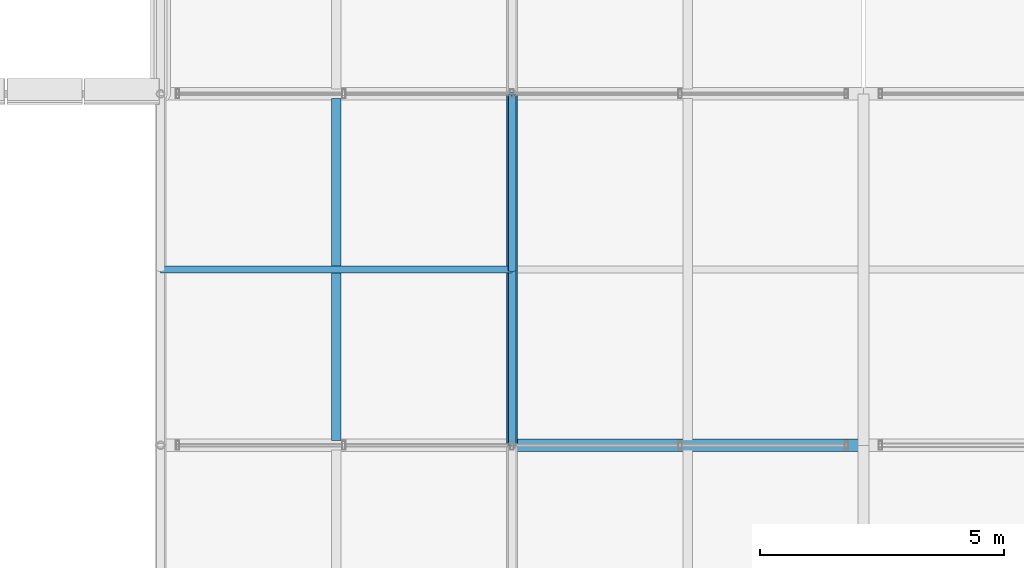
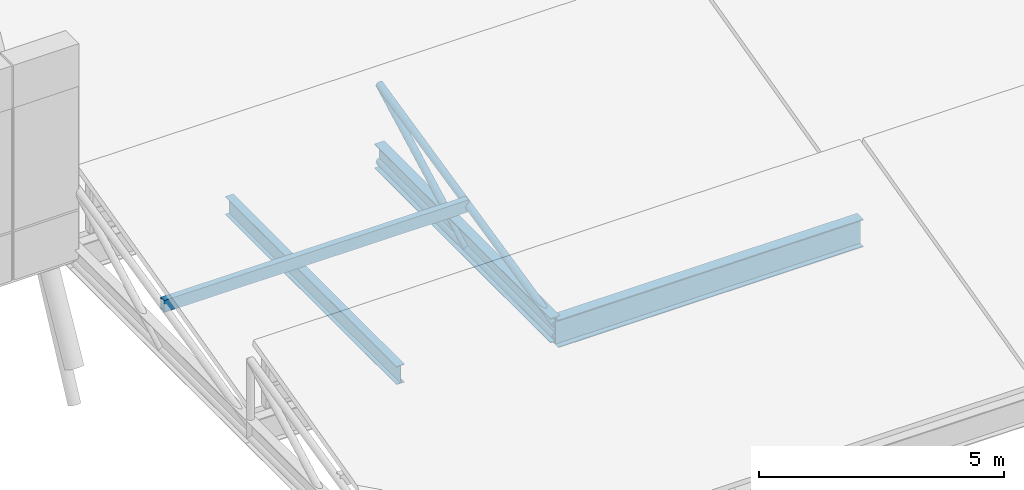
# One storey, part 54 of 144: 4 members, 3 beams.
"""IFC4 building model written with IfcOpenShell, lengths in metres."""

import ifcopenshell
import ifcopenshell.guid

model = None  # the IFC model being written
_history = None  # IfcOwnerHistory: only IFC2X3 demands one
_inside = {}  # id of a spatial element -> (the spatial element, [elements in it])
_under = {}  # id of a project, library or spatial element -> (it, [spatial elements below it])
_declared = {}  # id of a project -> (the project, [libraries it declares])
_typed = {}  # id of a type object -> (the type object, [elements of that type])
_made_of = {}  # id of a material, layer set ... -> (it, [elements and type objects made of it])


def new_model(schema):
    """Start an empty IFC model of exactly this schema.

    Asked for "IFC4X3", IfcOpenShell would pick the latest addendum, in which some entities
    have other attributes; the version numbers below select the first issue.
    IFC2X3 requires an IfcOwnerHistory on every rooted entity: one is made here for all.
    """
    global model, _history
    if schema == "IFC4X3":
        model = ifcopenshell.file(schema_version=(4, 3, 0, 0))
    else:
        model = ifcopenshell.file(schema=schema)
    _inside.clear()
    _under.clear()
    _declared.clear()
    _typed.clear()
    _made_of.clear()
    _history = None
    if model.schema == "IFC2X3":
        org = make("IfcOrganization", Name="unknown")
        user = make(
            "IfcPersonAndOrganization",
            ThePerson=make("IfcPerson", FamilyName="unknown"),
            TheOrganization=org,
        )
        app = make(
            "IfcApplication",
            ApplicationDeveloper=org,
            Version="unknown",
            ApplicationFullName="unknown",
            ApplicationIdentifier="unknown",
        )
        _history = make(
            "IfcOwnerHistory",
            OwningUser=user,
            OwningApplication=app,
            ChangeAction="ADDED",
            CreationDate=0,
        )
    return model


def make(cls, **values):
    """One entity of the class cls with the attributes given. An attribute that is None is left unset."""
    return model.create_entity(
        cls, **{name: value for name, value in values.items() if value is not None}
    )


def rooted(cls, **values):
    """An entity with a GlobalId (a new one), such as an element, a storey or a relation."""
    return make(cls, GlobalId=ifcopenshell.guid.new(), OwnerHistory=_history, **values)


def si_unit(unit_type, name, prefix=None):
    """IfcSIUnit, for example si_unit("LENGTHUNIT", "METRE", prefix="MILLI")."""
    return make("IfcSIUnit", UnitType=unit_type, Prefix=prefix, Name=name)


def assignment(units):
    """IfcUnitAssignment: the units of a project."""
    return None if units is None else make("IfcUnitAssignment", Units=units)


def point(xyz):
    """IfcCartesianPoint."""
    return None if xyz is None else make("IfcCartesianPoint", Coordinates=xyz)


def direction(xyz):
    """IfcDirection."""
    return None if xyz is None else make("IfcDirection", DirectionRatios=xyz)


def frame(location, z_axis=None, x_axis=None):
    """IfcAxis2Placement3D, a coordinate frame: its origin and axes. An axis left out is left unset."""
    return make(
        "IfcAxis2Placement3D",
        Location=point(location),
        Axis=direction(z_axis),
        RefDirection=direction(x_axis),
    )


def frame_2d(location, x_axis=None):
    """IfcAxis2Placement2D, a coordinate frame in the plane: its origin and x axis."""
    return make(
        "IfcAxis2Placement2D", Location=point(location), RefDirection=direction(x_axis)
    )


def origin():
    """The frame at (0, 0, 0) with its axes left unset."""
    return frame((0.0, 0.0, 0.0))


def origin_2d():
    """The frame at (0, 0) in the plane with its x axis left unset."""
    return frame_2d((0.0, 0.0))


def place(relative_to, where):
    """IfcLocalPlacement: puts the frame where relative to a parent placement (None: the world)."""
    return make(
        "IfcLocalPlacement", PlacementRelTo=relative_to, RelativePlacement=where
    )


def context(
    kind, dimensions, precision=None, world=None, true_north=None, identifier=None
):
    """IfcGeometricRepresentationContext, for example the 3D "Model" context."""
    return make(
        "IfcGeometricRepresentationContext",
        ContextIdentifier=identifier,
        ContextType=kind,
        CoordinateSpaceDimension=dimensions,
        Precision=precision,
        WorldCoordinateSystem=world,
        TrueNorth=true_north,
    )


def subcontext(parent, identifier, kind, view, scale=None):
    """IfcGeometricRepresentationSubContext, for example "Body" below "Model"."""
    return make(
        "IfcGeometricRepresentationSubContext",
        ContextIdentifier=identifier,
        ContextType=kind,
        ParentContext=parent,
        TargetScale=scale,
        TargetView=view,
    )


def project(units=None, contexts=None):
    """IfcProject with its units and contexts."""
    return rooted(
        "IfcProject",
        Name="project",
        RepresentationContexts=contexts,
        UnitsInContext=assignment(units),
    )


def spatial(cls, under=None, at=None, **own):
    """A site, building, storey or space (cls), placed at a placement, below another one or the project."""
    s = rooted(cls, ObjectPlacement=at, **own)
    if under is not None:
        _under.setdefault(under.id(), (under, []))[1].append(s)
    return s


def profile(cls, at=None, kind="AREA", **sizes):
    """A parametric profile (cls). Its sizes go by their IFC names, for example OverallWidth=200.0."""
    return make(cls, ProfileType=kind, Position=at, **sizes)


def hollow_rectangle(**sizes):
    """IfcRectangleHollowProfileDef."""
    return profile("IfcRectangleHollowProfileDef", **sizes)


def hollow_circle(**sizes):
    """IfcCircleHollowProfileDef."""
    return profile("IfcCircleHollowProfileDef", **sizes)


def i_section(**sizes):
    """IfcIShapeProfileDef."""
    return profile("IfcIShapeProfileDef", **sizes)


def extrude(swept, where, along, depth):
    """IfcExtrudedAreaSolid: the profile swept, set in the frame where, extruded along a direction by depth."""
    return make(
        "IfcExtrudedAreaSolid",
        SweptArea=swept,
        Position=where,
        ExtrudedDirection=direction(along),
        Depth=depth,
    )


def shape(context_of_items, identifier, shape_type, items):
    """IfcShapeRepresentation: the items that make up one representation, for example the "Body"."""
    return make(
        "IfcShapeRepresentation",
        ContextOfItems=context_of_items,
        RepresentationIdentifier=identifier,
        RepresentationType=shape_type,
        Items=items,
    )


def material(Name=None, Category=None):
    """IfcMaterial."""
    return make("IfcMaterial", Name=Name, Category=Category)


def material_profile(
    of_material, cross_section, Name=None, Category=None, Priority=None
):
    """IfcMaterialProfile: a cross section and its material."""
    return make(
        "IfcMaterialProfile",
        Name=Name,
        Material=of_material,
        Profile=cross_section,
        Priority=Priority,
        Category=Category,
    )


def profile_set(profiles, Name=None, composite=None):
    """IfcMaterialProfileSet."""
    return make(
        "IfcMaterialProfileSet",
        Name=Name,
        MaterialProfiles=profiles,
        CompositeProfile=composite,
    )


def made_of(thing, what):
    """Note that an element or type object is made of a material, layer set ...; save() writes the relation."""
    if what is not None:
        _made_of.setdefault(what.id(), (what, []))[1].append(thing)
    return thing


def type_object(cls, material=None, **own):
    """A type object (cls), such as IfcWallType, which elements share."""
    return made_of(rooted(cls, **own), material)


def element(
    cls,
    number,
    at=None,
    inside=None,
    cuts=None,
    type_object=None,
    material=None,
    context=None,
    identifier="Body",
    shape_type=None,
    held_by="IfcProductDefinitionShape",
    body=None,
    shapes=None,
    **own,
):
    """One element of the class cls, such as IfcWall. Its Tag is "e" and its number.

    at: its placement. inside: the storey or other place that contains it. cuts: it is an
    opening in that element (IfcRelVoidsElement). A single representation is given by context,
    identifier, shape_type and body (its items); several are given by shapes. held_by: the class
    of the entity that holds the representations. save() writes the other relations.
    """
    e = rooted(cls, Tag="e%d" % number, ObjectPlacement=at, **own)
    if body is not None:
        shapes = [shape(context, identifier, shape_type, body)]
    if shapes is not None:
        e.Representation = make(held_by, Representations=shapes)
    if inside is not None:
        _inside.setdefault(inside.id(), (inside, []))[1].append(e)
    if cuts is not None:
        rooted(
            "IfcRelVoidsElement", RelatingBuildingElement=cuts, RelatedOpeningElement=e
        )
    if type_object is not None:
        _typed.setdefault(type_object.id(), (type_object, []))[1].append(e)
    return made_of(e, material)


def aggregate(whole, parts):
    """IfcRelAggregates: a whole, such as a stair, and the parts it consists of."""
    return rooted("IfcRelAggregates", RelatingObject=whole, RelatedObjects=parts)


def save(model, path):
    """Write the relations noted so far, then the file.

    IfcRelAggregates (storeys below a building ...), IfcRelContainedInSpatialStructure (elements
    in a storey), IfcRelDefinesByType, IfcRelAssociatesMaterial and IfcRelDeclares: one each for
    every whole, place, type object, material and project.
    """
    for whole, parts in _under.values():
        aggregate(whole, parts)
    for where, things in _inside.values():
        rooted(
            "IfcRelContainedInSpatialStructure",
            RelatedElements=things,
            RelatingStructure=where,
        )
    for kind, things in _typed.values():
        rooted("IfcRelDefinesByType", RelatedObjects=things, RelatingType=kind)
    for what, things in _made_of.values():
        rooted("IfcRelAssociatesMaterial", RelatedObjects=things, RelatingMaterial=what)
    for by, libraries in _declared.values():
        rooted("IfcRelDeclares", RelatingContext=by, RelatedDefinitions=libraries)
    model.write(path)


model = new_model("IFC4")

# Units and contexts
model_context = context("Model", 3, precision=1e-05, world=origin(), true_north=direction((0.0, 1.0)))
body_context = subcontext(model_context, "Body", "Model", "MODEL_VIEW")
ifc_project = project(units=[si_unit("LENGTHUNIT", "METRE"), si_unit("AREAUNIT", "SQUARE_METRE"), si_unit("VOLUMEUNIT", "CUBIC_METRE"), si_unit("PLANEANGLEUNIT", "RADIAN"), si_unit("MASSUNIT", "GRAM", prefix="KILO")], contexts=[model_context])

# Site, building, storey
site_placement = place(None, origin())
site = spatial("IfcSite", under=ifc_project, at=site_placement, CompositionType="ELEMENT")
building_placement = place(site_placement, origin())
building = spatial("IfcBuilding", under=site, at=building_placement, Name="Yarey Park Central Fire Station", CompositionType="ELEMENT")
storey_placement = place(building_placement, frame((0.0, 0.0, 10.199951171875)))
storey = spatial("IfcBuildingStorey", under=building, at=storey_placement, Name="L03", CompositionType="ELEMENT", Elevation=10.199951171875)

# Beams
ifc_material_1 = material(Name="Steel ASTM A992 Gr. 50", Category="steel")
ifc_material_profile_1 = material_profile(ifc_material_1, i_section(OverallWidth=0.22900390625, OverallDepth=0.612060546875, WebThickness=0.011962890625, FlangeThickness=0.01953125, at=origin_2d()), Name="W610x125")
ifc_profile_set_1 = profile_set([ifc_material_profile_1], Name="Steel ASTM A992 Gr. 50")
beam_type_1 = type_object("IfcBeamType", Name="STR_BM_W610", PredefinedType="BEAM", material=ifc_profile_set_1)
beam_1_placement = place(storey_placement, frame((144.0, 50.39990234375, -0.48583984375), z_axis=(0.0, 1.0, 0.0), x_axis=(-1.0, 0.0, 0.0)))
element("IfcBeam", 1, at=beam_1_placement, inside=storey, type_object=beam_type_1, Name="BMY L03 X1440 Y504", PredefinedType="BEAM", context=body_context, shape_type="SweptSolid", body=[
    extrude(i_section(OverallWidth=0.22900390625, OverallDepth=0.612060546875, WebThickness=0.011962890625, FlangeThickness=0.01953125, at=origin_2d()), origin(), (0.0, 0.0, 1.0), 7.2001953125),
])
ifc_material_profile_2 = material_profile(ifc_material_1, i_section(OverallWidth=0.256103515625, OverallDepth=0.693115234375, WebThickness=0.014404296875, FlangeThickness=0.023681640625, at=origin_2d()), Name="W690x170")
ifc_profile_set_2 = profile_set([ifc_material_profile_2], Name="Steel ASTM A992 Gr. 50")
beam_type_2 = type_object("IfcBeamType", Name="STR_BM_W690", PredefinedType="BEAM", material=ifc_profile_set_2)
beam_2_placement = place(storey_placement, frame((144.0, 50.39990234375, -0.5263671875), z_axis=(1.0, 0.0, 0.0), x_axis=(0.0, 1.0, 0.0)))
element("IfcBeam", 2, at=beam_2_placement, inside=storey, type_object=beam_type_2, Name="BMX L03 Y504 X1440", PredefinedType="BEAM", context=body_context, shape_type="SweptSolid", body=[
    extrude(i_section(OverallWidth=0.256103515625, OverallDepth=0.693115234375, WebThickness=0.014404296875, FlangeThickness=0.023681640625, at=origin_2d()), origin(), (0.0, 0.0, 1.0), 7.199951171875),
])

# Members
ifc_material_2 = material(Name="Steel ASTM A500 Gr. C", Category="steel")
ifc_material_profile_3 = material_profile(ifc_material_2, hollow_circle(Radius=0.084228515625, WallThickness=0.008056640625, at=origin_2d()), Name="CHS 168.3x8")
ifc_profile_set_3 = profile_set([ifc_material_profile_3], Name="Steel ASTM A500 Gr. C")
member_type_1 = type_object("IfcMemberType", Name="STR_CHORD_CHS168", PredefinedType="CHORD", material=ifc_profile_set_3)
member_1_placement = place(storey_placement, frame((144.0, 50.39990234375, -0.64990234375), z_axis=(0.0, 1.0, 0.0), x_axis=(-1.0, 0.0, 0.0)))
element("IfcMember", 3, at=member_1_placement, inside=storey, type_object=member_type_1, Name="SAW_T2_B2_BC", PredefinedType="CHORD", context=body_context, shape_type="SweptSolid", body=[
    extrude(hollow_circle(Radius=0.084228515625, WallThickness=0.008056640625, at=origin_2d()), origin(), (0.0, 0.0, 1.0), 7.2001953125),
])
member_2_placement = place(storey_placement, frame((144.0, 50.39990234375, -0.349853515625), z_axis=(0.0, 0.975465753488, 0.220151229324), x_axis=(-1.0, 0.0, 0.0)))
element("IfcMember", 4, at=member_2_placement, inside=storey, type_object=member_type_1, Name="SAW_T2_B2_TC", PredefinedType="CHORD", context=body_context, shape_type="SweptSolid", body=[
    extrude(hollow_circle(Radius=0.084228515625, WallThickness=0.008056640625, at=origin_2d()), origin(), (0.0, 0.0, 1.0), 7.38134765625),
])

# Beam
ifc_material_profile_4 = material_profile(ifc_material_1, i_section(OverallWidth=0.18994140625, OverallDepth=0.45703125, WebThickness=0.009033203125, FlangeThickness=0.014404296875, at=origin_2d()), Name="W460x74")
ifc_profile_set_4 = profile_set([ifc_material_profile_4], Name="Steel ASTM A992 Gr. 50")
beam_type_3 = type_object("IfcBeamType", Name="STR_JST_W460", PredefinedType="JOIST", material=ifc_profile_set_4)
beam_3_placement = place(storey_placement, frame((140.39990234375, 50.4951171875, -0.408447265625), z_axis=(0.0, 1.0, 0.0), x_axis=(-1.0, 0.0, 0.0)))
element("IfcBeam", 5, at=beam_3_placement, inside=storey, type_object=beam_type_3, Name="JST L03 X1404 Y504", PredefinedType="JOIST", context=body_context, shape_type="SweptSolid", body=[
    extrude(i_section(OverallWidth=0.18994140625, OverallDepth=0.45703125, WebThickness=0.009033203125, FlangeThickness=0.014404296875, at=origin_2d()), origin(), (0.0, 0.0, 1.0), 7.009765625),
])

# Members
ifc_material_profile_5 = material_profile(ifc_material_2, hollow_rectangle(XDim=0.14990234375, YDim=0.300048828125, WallThickness=0.010009765625, at=origin_2d()), Name="HSS 300x150x10")
ifc_profile_set_5 = profile_set([ifc_material_profile_5], Name="Steel ASTM A500 Gr. C")
member_type_2 = type_object("IfcMemberType", Name="STR_PUR_HSS300", PredefinedType="PURLIN", material=ifc_profile_set_5)
member_3_placement = place(storey_placement, frame((136.800048828125, 54.0, 0.462646484375), z_axis=(1.0, 0.0, 0.0), x_axis=(0.0, 1.0, 0.0)))
element("IfcMember", 6, at=member_3_placement, inside=storey, type_object=member_type_2, Name="SAW_PUR_1_B2", PredefinedType="PURLIN", context=body_context, shape_type="SweptSolid", body=[
    extrude(hollow_rectangle(XDim=0.14990234375, YDim=0.300048828125, WallThickness=0.010009765625, at=origin_2d()), origin(), (0.0, 0.0, 1.0), 7.199951171875),
])
ifc_material_profile_6 = material_profile(ifc_material_2, hollow_circle(Radius=0.084228515625, WallThickness=0.008056640625, at=origin_2d()), Name="CHS 168.3x8")
ifc_profile_set_6 = profile_set([ifc_material_profile_6], Name="Steel ASTM A500 Gr. C")
member_type_3 = type_object("IfcMemberType", Name="STR_WEB_CHS168", PredefinedType="BRACE", material=ifc_profile_set_6)
member_4_placement = place(storey_placement, frame((144.0, 54.0, -0.64990234375), z_axis=(0.0, 0.881844210833, 0.471540865483), x_axis=(-1.0, 0.0, 0.0)))
element("IfcMember", 7, at=member_4_placement, inside=storey, type_object=member_type_3, Name="SAW_T2_B2_DG", PredefinedType="BRACE", context=body_context, shape_type="SweptSolid", body=[
    extrude(hollow_circle(Radius=0.084228515625, WallThickness=0.008056640625, at=origin_2d()), origin(), (0.0, 0.0, 1.0), 4.08251953125),
])

save(model, "model.ifc")
